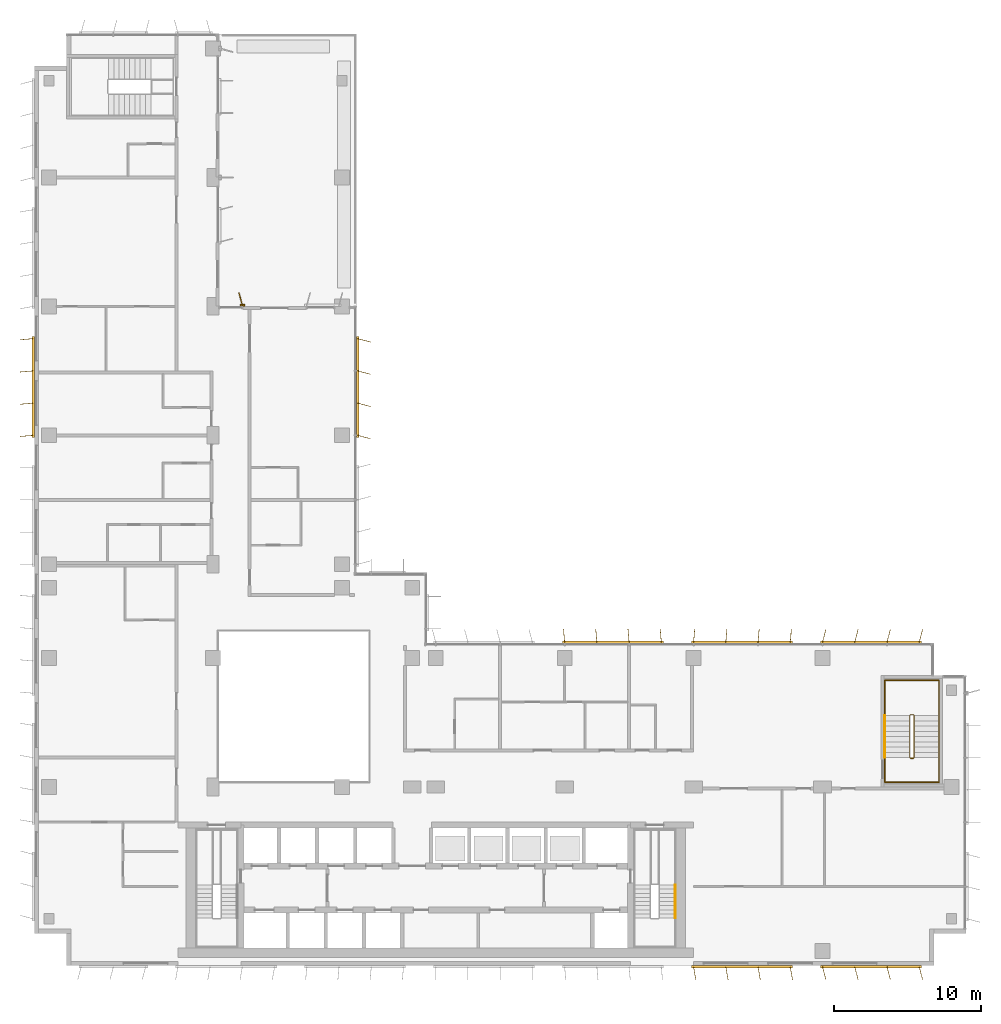
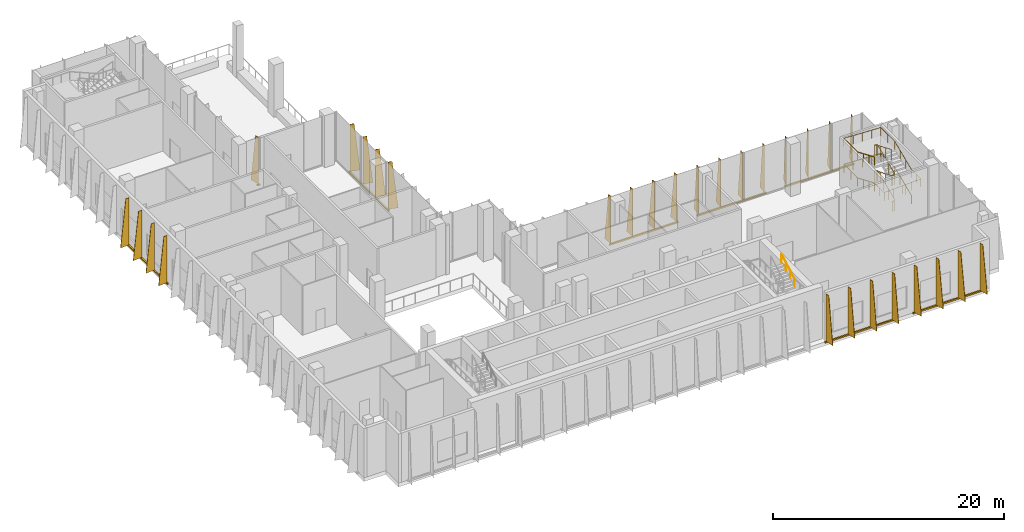
# One storey, part 21 of 24: 8 shading devices, 5 railings.
"""IFC4 building model written with IfcOpenShell, lengths in metres."""

from ifc_helpers import new_model, si_unit, direction, frame, origin, origin_2d, place, context, subcontext, project, spatial, polyline, rectangle, circle, outline, extrude, source, transform, mapped, material, layer, layer_set, type_object, element, save


model = new_model("IFC4")

# Units and contexts
model_context = context("Model", 3, precision=1e-05, world=origin(), true_north=direction((0.0, 1.0)))
body_context = subcontext(model_context, "Body", "Model", "MODEL_VIEW")
ifc_project = project(units=[si_unit("LENGTHUNIT", "METRE"), si_unit("AREAUNIT", "SQUARE_METRE"), si_unit("VOLUMEUNIT", "CUBIC_METRE"), si_unit("PLANEANGLEUNIT", "RADIAN"), si_unit("MASSUNIT", "GRAM", prefix="KILO")], contexts=[model_context])

# Site, building, storey
site_placement = place(None, origin())
site = spatial("IfcSite", under=ifc_project, at=site_placement, CompositionType="ELEMENT")
building_placement = place(site_placement, origin())
building = spatial("IfcBuilding", under=site, at=building_placement, Name="Kemantara Hotel Tower", CompositionType="ELEMENT")
storey_placement = place(building_placement, frame((0.0, 0.0, 202.5)))
storey = spatial("IfcBuildingStorey", under=building, at=storey_placement, Name="L50", CompositionType="ELEMENT", Elevation=202.5)

# Railings
ifc_material_1 = material(Name="Stainless steel balustrade", Category="steel")
railing_type_1 = type_object("IfcRailingType", Name="Stair guard 1100 mm", PredefinedType="GUARDRAIL", material=ifc_material_1)
railing_1_placement = place(storey_placement, frame((59.75, 14.199951171875, 5.5)))
element("IfcRailing", 1, at=railing_1_placement, inside=storey, type_object=railing_type_1, Name="L50 ST3 stair guard 1", PredefinedType="GUARDRAIL", context=body_context, shape_type="SweptSolid", body=[
    extrude(circle(Radius=0.02392578125, at=origin_2d()), frame((0.0, 0.0, 1.076171875), z_axis=(0.0, 0.920547772064, -0.390630003133), x_axis=(-1.0, 0.0, 0.0)), (0.0, 0.0, 1.0), 3.128662109375),
    extrude(circle(Radius=0.02392578125, at=origin_2d()), frame((0.0, 2.880126953125, -0.14599609375), z_axis=(0.297283521722, 0.295833358201, -0.907802363892), x_axis=(-0.705375805398, 0.708833529934, 0.0)), (0.0, 0.0, 1.0), 0.16845703125),
    extrude(circle(Radius=0.02392578125, at=origin_2d()), frame((0.050048828125, 2.929931640625, -0.298828125), z_axis=(1.0, 0.0, 0.0), x_axis=(0.0, 1.0, 0.0)), (0.0, 0.0, 1.0), 0.199951171875),
    extrude(circle(Radius=0.02392578125, at=origin_2d()), frame((0.25, 2.929931640625, -0.298828125), z_axis=(0.708833529934, -0.705375805398, 0.0), x_axis=(0.705375805398, 0.708833529934, 0.0)), (0.0, 0.0, 1.0), 0.070556640625),
    extrude(circle(Radius=0.02392578125, at=origin_2d()), frame((0.300048828125, 2.880126953125, -0.298828125), z_axis=(0.0, -0.920547772064, -0.390630003133), x_axis=(1.0, 0.0, 0.0)), (0.0, 0.0, 1.0), 3.128662109375),
    extrude(circle(Radius=0.02392578125, at=origin_2d()), frame((0.300048828125, 0.0, -1.52099609375), z_axis=(-0.841019323802, -0.168368126347, -0.514138766309), x_axis=(0.196300278283, -0.98054382908, 0.0)), (0.0, 0.0, 1.0), 0.29736328125),
    extrude(circle(Radius=0.02392578125, at=origin_2d()), frame((0.050048828125, -0.050048828125, -1.673828125), z_axis=(1.0, 0.0, 0.0), x_axis=(0.0, 1.0, 0.0)), (0.0, 0.0, 1.0), 0.199951171875),
    extrude(circle(Radius=0.02392578125, at=origin_2d()), frame((0.25, -0.050048828125, -1.673828125), z_axis=(-0.98054382908, 0.196300278283, 0.0), x_axis=(-0.196300278283, -0.98054382908, 0.0)), (0.0, 0.0, 1.0), 0.2548828125),
    extrude(circle(Radius=0.02392578125, at=origin_2d()), frame((0.0, 0.0, -1.673828125), z_axis=(0.0, 0.920547772064, -0.390630003133), x_axis=(-1.0, 0.0, 0.0)), (0.0, 0.0, 1.0), 3.128662109375),
    extrude(circle(Radius=0.02392578125, at=origin_2d()), frame((0.0, 2.880126953125, -2.89599609375), z_axis=(0.297283521722, 0.295833358201, -0.907802363892), x_axis=(-0.705375805398, 0.708833529934, 0.0)), (0.0, 0.0, 1.0), 0.16845703125),
    extrude(circle(Radius=0.02392578125, at=origin_2d()), frame((0.050048828125, 2.929931640625, -3.048828125), z_axis=(1.0, 0.0, 0.0), x_axis=(0.0, 1.0, 0.0)), (0.0, 0.0, 1.0), 0.199951171875),
    extrude(circle(Radius=0.02392578125, at=origin_2d()), frame((0.25, 2.929931640625, -3.048828125), z_axis=(0.708833529934, -0.705375805398, 0.0), x_axis=(0.705375805398, 0.708833529934, 0.0)), (0.0, 0.0, 1.0), 0.070556640625),
    extrude(circle(Radius=0.02392578125, at=origin_2d()), frame((0.300048828125, 2.880126953125, -3.048828125), z_axis=(0.0, -0.920547772064, -0.390630003133), x_axis=(1.0, 0.0, 0.0)), (0.0, 0.0, 1.0), 3.128662109375),
    extrude(circle(Radius=0.02392578125, at=origin_2d()), frame((0.300048828125, 0.0, -4.27099609375), z_axis=(-0.297155754911, -0.297155754911, -0.90741220768), x_axis=(0.707106781187, -0.707106781187, 0.0)), (0.0, 0.0, 1.0), 0.16845703125),
    extrude(circle(Radius=0.02392578125, at=origin_2d()), frame((0.25, -0.050048828125, -4.423828125), z_axis=(-1.0, 0.0, 0.0), x_axis=(0.0, -1.0, 0.0)), (0.0, 0.0, 1.0), 0.199951171875),
    extrude(circle(Radius=0.02099609375, at=origin_2d()), origin(), (0.0, 0.0, 1.0), 1.052001953125),
    extrude(circle(Radius=0.02099609375, at=origin_2d()), frame((0.0, 0.9599609375, -0.407470703125)), (0.0, 0.0, 1.0), 1.052001953125),
    extrude(circle(Radius=0.02099609375, at=origin_2d()), frame((0.0, 1.920166015625, -0.814697265625)), (0.0, 0.0, 1.0), 1.052001953125),
    extrude(circle(Radius=0.02099609375, at=origin_2d()), frame((0.0, 2.880126953125, -1.22216796875)), (0.0, 0.0, 1.0), 1.052001953125),
    extrude(circle(Radius=0.02099609375, at=origin_2d()), frame((0.050048828125, 2.929931640625, -1.375)), (0.0, 0.0, 1.0), 1.052001953125),
    extrude(circle(Radius=0.02099609375, at=origin_2d()), frame((0.25, 2.929931640625, -1.375)), (0.0, 0.0, 1.0), 1.052001953125),
    extrude(circle(Radius=0.02099609375, at=origin_2d()), frame((0.300048828125, 2.880126953125, -1.375)), (0.0, 0.0, 1.0), 1.052001953125),
    extrude(circle(Radius=0.02099609375, at=origin_2d()), frame((0.300048828125, 1.920166015625, -1.782470703125)), (0.0, 0.0, 1.0), 1.052001953125),
    extrude(circle(Radius=0.02099609375, at=origin_2d()), frame((0.300048828125, 0.9599609375, -2.189697265625)), (0.0, 0.0, 1.0), 1.052001953125),
    extrude(circle(Radius=0.02099609375, at=origin_2d()), frame((0.300048828125, 0.0, -2.59716796875)), (0.0, 0.0, 1.0), 1.052001953125),
    extrude(circle(Radius=0.02099609375, at=origin_2d()), frame((0.050048828125, -0.050048828125, -2.75)), (0.0, 0.0, 1.0), 1.052001953125),
    extrude(circle(Radius=0.02099609375, at=origin_2d()), frame((0.25, -0.050048828125, -2.75)), (0.0, 0.0, 1.0), 1.052001953125),
    extrude(circle(Radius=0.02099609375, at=origin_2d()), frame((0.0, 0.0, -2.75)), (0.0, 0.0, 1.0), 1.052001953125),
    extrude(circle(Radius=0.02099609375, at=origin_2d()), frame((0.0, 0.9599609375, -3.157470703125)), (0.0, 0.0, 1.0), 1.052001953125),
    extrude(circle(Radius=0.02099609375, at=origin_2d()), frame((0.0, 1.920166015625, -3.564697265625)), (0.0, 0.0, 1.0), 1.052001953125),
    extrude(circle(Radius=0.02099609375, at=origin_2d()), frame((0.0, 2.880126953125, -3.97216796875)), (0.0, 0.0, 1.0), 1.052001953125),
    extrude(circle(Radius=0.02099609375, at=origin_2d()), frame((0.050048828125, 2.929931640625, -4.125)), (0.0, 0.0, 1.0), 1.052001953125),
    extrude(circle(Radius=0.02099609375, at=origin_2d()), frame((0.25, 2.929931640625, -4.125)), (0.0, 0.0, 1.0), 1.052001953125),
    extrude(circle(Radius=0.02099609375, at=origin_2d()), frame((0.300048828125, 2.880126953125, -4.125)), (0.0, 0.0, 1.0), 1.052001953125),
    extrude(circle(Radius=0.02099609375, at=origin_2d()), frame((0.300048828125, 1.920166015625, -4.532470703125)), (0.0, 0.0, 1.0), 1.052001953125),
    extrude(circle(Radius=0.02099609375, at=origin_2d()), frame((0.300048828125, 0.9599609375, -4.939697265625)), (0.0, 0.0, 1.0), 1.052001953125),
    extrude(circle(Radius=0.02099609375, at=origin_2d()), frame((0.300048828125, 0.0, -5.34716796875)), (0.0, 0.0, 1.0), 1.052001953125),
    extrude(circle(Radius=0.02099609375, at=origin_2d()), frame((0.25, -0.050048828125, -5.5)), (0.0, 0.0, 1.0), 1.052001953125),
    extrude(circle(Radius=0.02099609375, at=origin_2d()), frame((0.050048828125, -0.050048828125, -5.5)), (0.0, 0.0, 1.0), 1.052001953125),
])
railing_type_2 = type_object("IfcRailingType", Name="Stair handrail 900 mm", PredefinedType="HANDRAIL", material=ifc_material_1)
railing_2_placement = place(storey_placement, frame((43.75, 3.260009765625, 4.27783203125)))
element("IfcRailing", 2, at=railing_2_placement, inside=storey, type_object=railing_type_2, Name="L50 ST2 stair handrail 3", PredefinedType="HANDRAIL", context=body_context, shape_type="SweptSolid", body=[
    extrude(circle(Radius=0.02392578125, at=origin_2d()), frame((0.0, 0.0, 0.8759765625), z_axis=(0.0, 0.87783706319, 0.478959382924), x_axis=(-1.0, 0.0, 0.0)), (0.0, 0.0, 1.0), 2.5517578125),
    extrude(circle(Radius=0.02099609375, at=origin_2d()), origin(), (0.0, 0.0, 1.0), 0.851806640625),
    extrude(circle(Radius=0.02099609375, at=origin_2d()), frame((0.0, 0.74658203125, 0.407470703125)), (0.0, 0.0, 1.0), 0.851806640625),
    extrude(circle(Radius=0.02099609375, at=origin_2d()), frame((0.0, 1.493408203125, 0.814697265625)), (0.0, 0.0, 1.0), 0.851806640625),
    extrude(circle(Radius=0.02099609375, at=origin_2d()), frame((0.0, 2.239990234375, 1.22216796875)), (0.0, 0.0, 1.0), 0.851806640625),
])
railing_3_placement = place(storey_placement, frame((61.75, 14.199951171875, 0.15283203125)))
element("IfcRailing", 3, at=railing_3_placement, inside=storey, type_object=railing_type_2, Name="L50 ST3 stair handrail 1", PredefinedType="HANDRAIL", context=body_context, shape_type="SweptSolid", body=[
    extrude(circle(Radius=0.02392578125, at=origin_2d()), frame((0.0, 0.0, 0.8759765625), z_axis=(0.0, 0.920547772064, 0.390630003133), x_axis=(-1.0, 0.0, 0.0)), (0.0, 0.0, 1.0), 3.128662109375),
    extrude(circle(Radius=0.02392578125, at=origin_2d()), frame((0.0, 2.880126953125, 2.09814453125), z_axis=(0.0, 1.0, 0.0), x_axis=(-1.0, 0.0, 0.0)), (0.0, 0.0, 1.0), 2.39990234375),
    extrude(circle(Radius=0.02392578125, at=origin_2d()), frame((0.0, 5.280029296875, 2.09814453125), z_axis=(-0.999147976703, 0.0, 0.041271305405), x_axis=(0.0, -1.0, 0.0)), (0.0, 0.0, 1.0), 3.703125),
    extrude(circle(Radius=0.02392578125, at=origin_2d()), frame((-3.699951171875, 5.280029296875, 2.2509765625), z_axis=(0.0, -1.0, 0.0), x_axis=(1.0, 0.0, 0.0)), (0.0, 0.0, 1.0), 2.39990234375),
    extrude(circle(Radius=0.02392578125, at=origin_2d()), frame((-3.699951171875, 2.880126953125, 2.2509765625), z_axis=(0.0, -0.920547772064, 0.390630003133), x_axis=(1.0, 0.0, 0.0)), (0.0, 0.0, 1.0), 3.128662109375),
    extrude(circle(Radius=0.02099609375, at=origin_2d()), origin(), (0.0, 0.0, 1.0), 0.851806640625),
    extrude(circle(Radius=0.02099609375, at=origin_2d()), frame((0.0, 0.9599609375, 0.407470703125)), (0.0, 0.0, 1.0), 0.851806640625),
    extrude(circle(Radius=0.02099609375, at=origin_2d()), frame((0.0, 1.920166015625, 0.814697265625)), (0.0, 0.0, 1.0), 0.851806640625),
    extrude(circle(Radius=0.02099609375, at=origin_2d()), frame((0.0, 2.880126953125, 1.22216796875)), (0.0, 0.0, 1.0), 0.851806640625),
    extrude(circle(Radius=0.02099609375, at=origin_2d()), frame((0.0, 4.080078125, 1.22216796875)), (0.0, 0.0, 1.0), 0.851806640625),
    extrude(circle(Radius=0.02099609375, at=origin_2d()), frame((0.0, 5.280029296875, 1.22216796875)), (0.0, 0.0, 1.0), 0.851806640625),
    extrude(circle(Radius=0.02099609375, at=origin_2d()), frame((-0.925048828125, 5.280029296875, 1.26025390625)), (0.0, 0.0, 1.0), 0.851806640625),
    extrude(circle(Radius=0.02099609375, at=origin_2d()), frame((-1.85009765625, 5.280029296875, 1.298583984375)), (0.0, 0.0, 1.0), 0.851806640625),
    extrude(circle(Radius=0.02099609375, at=origin_2d()), frame((-2.77490234375, 5.280029296875, 1.3369140625)), (0.0, 0.0, 1.0), 0.851806640625),
    extrude(circle(Radius=0.02099609375, at=origin_2d()), frame((-3.699951171875, 5.280029296875, 1.375)), (0.0, 0.0, 1.0), 0.851806640625),
    extrude(circle(Radius=0.02099609375, at=origin_2d()), frame((-3.699951171875, 4.080078125, 1.375)), (0.0, 0.0, 1.0), 0.851806640625),
    extrude(circle(Radius=0.02099609375, at=origin_2d()), frame((-3.699951171875, 2.880126953125, 1.375)), (0.0, 0.0, 1.0), 0.851806640625),
    extrude(circle(Radius=0.02099609375, at=origin_2d()), frame((-3.699951171875, 1.920166015625, 1.782470703125)), (0.0, 0.0, 1.0), 0.851806640625),
    extrude(circle(Radius=0.02099609375, at=origin_2d()), frame((-3.699951171875, 0.9599609375, 2.189697265625)), (0.0, 0.0, 1.0), 0.851806640625),
    extrude(circle(Radius=0.02099609375, at=origin_2d()), frame((-3.699951171875, 0.0, 2.59716796875)), (0.0, 0.0, 1.0), 0.851806640625),
])
railing_4_placement = place(storey_placement, frame((58.050048828125, 14.199951171875, 2.75)))
element("IfcRailing", 4, at=railing_4_placement, inside=storey, type_object=railing_type_2, Name="L50 ST3 stair handrail 2", PredefinedType="HANDRAIL", context=body_context, shape_type="SweptSolid", body=[
    extrude(circle(Radius=0.02392578125, at=origin_2d()), frame((0.0, 0.0, 0.8759765625), z_axis=(0.0, -1.0, 0.0), x_axis=(1.0, 0.0, 0.0)), (0.0, 0.0, 1.0), 1.679931640625),
    extrude(circle(Radius=0.02392578125, at=origin_2d()), frame((0.0, -1.679931640625, 0.8759765625), z_axis=(0.999147976703, 0.0, 0.041271305405), x_axis=(0.0, 1.0, 0.0)), (0.0, 0.0, 1.0), 3.703125),
    extrude(circle(Radius=0.02392578125, at=origin_2d()), frame((3.699951171875, -1.679931640625, 1.02880859375), z_axis=(0.0, 1.0, 0.0), x_axis=(-1.0, 0.0, 0.0)), (0.0, 0.0, 1.0), 1.679931640625),
    extrude(circle(Radius=0.02392578125, at=origin_2d()), frame((3.699951171875, 0.0, 1.02880859375), z_axis=(0.0, 0.920547772064, 0.390630003133), x_axis=(-1.0, 0.0, 0.0)), (0.0, 0.0, 1.0), 3.128662109375),
    extrude(circle(Radius=0.02392578125, at=origin_2d()), frame((3.699951171875, 2.880126953125, 2.2509765625), z_axis=(0.0, 1.0, 0.0), x_axis=(-1.0, 0.0, 0.0)), (0.0, 0.0, 1.0), 2.39990234375),
    extrude(circle(Radius=0.02392578125, at=origin_2d()), frame((3.699951171875, 5.280029296875, 2.2509765625), z_axis=(-0.999147976703, 0.0, 0.041271305405), x_axis=(0.0, -1.0, 0.0)), (0.0, 0.0, 1.0), 3.703125),
    extrude(circle(Radius=0.02392578125, at=origin_2d()), frame((0.0, 5.280029296875, 2.40380859375), z_axis=(0.0, -1.0, 0.0), x_axis=(1.0, 0.0, 0.0)), (0.0, 0.0, 1.0), 2.39990234375),
    extrude(circle(Radius=0.02099609375, at=origin_2d()), origin(), (0.0, 0.0, 1.0), 0.851806640625),
    extrude(circle(Radius=0.02099609375, at=origin_2d()), frame((0.0, -0.83984375, 0.0)), (0.0, 0.0, 1.0), 0.851806640625),
    extrude(circle(Radius=0.02099609375, at=origin_2d()), frame((0.0, -1.679931640625, 0.0)), (0.0, 0.0, 1.0), 0.851806640625),
    extrude(circle(Radius=0.02099609375, at=origin_2d()), frame((0.925048828125, -1.679931640625, 0.0380859375)), (0.0, 0.0, 1.0), 0.851806640625),
    extrude(circle(Radius=0.02099609375, at=origin_2d()), frame((1.85009765625, -1.679931640625, 0.076416015625)), (0.0, 0.0, 1.0), 0.851806640625),
    extrude(circle(Radius=0.02099609375, at=origin_2d()), frame((2.77490234375, -1.679931640625, 0.11474609375)), (0.0, 0.0, 1.0), 0.851806640625),
    extrude(circle(Radius=0.02099609375, at=origin_2d()), frame((3.699951171875, -1.679931640625, 0.15283203125)), (0.0, 0.0, 1.0), 0.851806640625),
    extrude(circle(Radius=0.02099609375, at=origin_2d()), frame((3.699951171875, -0.83984375, 0.15283203125)), (0.0, 0.0, 1.0), 0.851806640625),
    extrude(circle(Radius=0.02099609375, at=origin_2d()), frame((3.699951171875, 0.0, 0.15283203125)), (0.0, 0.0, 1.0), 0.851806640625),
    extrude(circle(Radius=0.02099609375, at=origin_2d()), frame((3.699951171875, 0.9599609375, 0.560302734375)), (0.0, 0.0, 1.0), 0.851806640625),
    extrude(circle(Radius=0.02099609375, at=origin_2d()), frame((3.699951171875, 1.920166015625, 0.967529296875)), (0.0, 0.0, 1.0), 0.851806640625),
    extrude(circle(Radius=0.02099609375, at=origin_2d()), frame((3.699951171875, 2.880126953125, 1.375)), (0.0, 0.0, 1.0), 0.851806640625),
    extrude(circle(Radius=0.02099609375, at=origin_2d()), frame((3.699951171875, 4.080078125, 1.375)), (0.0, 0.0, 1.0), 0.851806640625),
    extrude(circle(Radius=0.02099609375, at=origin_2d()), frame((3.699951171875, 5.280029296875, 1.375)), (0.0, 0.0, 1.0), 0.851806640625),
    extrude(circle(Radius=0.02099609375, at=origin_2d()), frame((2.77490234375, 5.280029296875, 1.4130859375)), (0.0, 0.0, 1.0), 0.851806640625),
    extrude(circle(Radius=0.02099609375, at=origin_2d()), frame((1.85009765625, 5.280029296875, 1.451416015625)), (0.0, 0.0, 1.0), 0.851806640625),
    extrude(circle(Radius=0.02099609375, at=origin_2d()), frame((0.925048828125, 5.280029296875, 1.48974609375)), (0.0, 0.0, 1.0), 0.851806640625),
    extrude(circle(Radius=0.02099609375, at=origin_2d()), frame((0.0, 5.280029296875, 1.52783203125)), (0.0, 0.0, 1.0), 0.851806640625),
    extrude(circle(Radius=0.02099609375, at=origin_2d()), frame((0.0, 4.080078125, 1.52783203125)), (0.0, 0.0, 1.0), 0.851806640625),
    extrude(circle(Radius=0.02099609375, at=origin_2d()), frame((0.0, 2.880126953125, 1.52783203125)), (0.0, 0.0, 1.0), 0.851806640625),
])
railing_5_placement = place(storey_placement, frame((58.050048828125, 17.080078125, 4.27783203125)))
element("IfcRailing", 5, at=railing_5_placement, inside=storey, type_object=railing_type_2, Name="L50 ST3 stair handrail 3", PredefinedType="HANDRAIL", context=body_context, shape_type="SweptSolid", body=[
    extrude(circle(Radius=0.02392578125, at=origin_2d()), frame((0.0, 0.0, 0.8759765625), z_axis=(0.0, -0.920547772064, 0.390630003133), x_axis=(1.0, 0.0, 0.0)), (0.0, 0.0, 1.0), 3.128662109375),
    extrude(circle(Radius=0.02099609375, at=origin_2d()), origin(), (0.0, 0.0, 1.0), 0.851806640625),
    extrude(circle(Radius=0.02099609375, at=origin_2d()), frame((0.0, -0.9599609375, 0.407470703125)), (0.0, 0.0, 1.0), 0.851806640625),
    extrude(circle(Radius=0.02099609375, at=origin_2d()), frame((0.0, -1.920166015625, 0.814697265625)), (0.0, 0.0, 1.0), 0.851806640625),
    extrude(circle(Radius=0.02099609375, at=origin_2d()), frame((0.0, -2.880126953125, 1.22216796875)), (0.0, 0.0, 1.0), 0.851806640625),
])

# Shading devices
ifc_material_2 = material(Name="Perforated aluminium plate 4 mm bronze anodised", Category="aluminium")
ifc_layer_1 = layer(ifc_material_2, 0.0400390625)
ifc_layer_set_1 = layer_set([ifc_layer_1], Name="Perforated aluminium plate 4 mm bronze anodised")
shading_device_type_1 = type_object("IfcShadingDeviceType", Name="SCREEN FIN CASSETTE, 4 BLADES AT +15.0 DEG, 5000 HIGH", PredefinedType="USERDEFINED", material=ifc_layer_set_1)
shared_shape_1 = source(origin(), body_context, "Body", "SweptSolid", [
    extrude(rectangle(XDim=6.89990234375, YDim=0.14990234375, at=origin_2d()), frame((3.300048828125, -0.074951171875, -0.14990234375), z_axis=(0.0, 0.0, 1.0), x_axis=(1.0, 0.0, 0.0)), (0.0, 0.0, 1.0), 0.14990234375),
    extrude(outline(polyline([(0.0, 0.0), (0.89990234375, 0.0), (0.35009765625, 5.0), (0.0, 5.0), (0.0, 0.0)])), frame((0.019287109375, -0.06982421875, 0.0), z_axis=(-0.966437683387, -0.256901156343, 0.0), x_axis=(0.256901156343, -0.966437683387, 0.0)), (0.0, 0.0, 1.0), 0.039794921875),
    extrude(outline(polyline([(0.0, 0.0), (0.89990234375, 0.0), (0.35009765625, 5.0), (0.0, 5.0), (0.0, 0.0)])), frame((2.21923828125, -0.06982421875, 0.0), z_axis=(-0.966437683387, -0.256901156343, 0.0), x_axis=(0.256901156343, -0.966437683387, 0.0)), (0.0, 0.0, 1.0), 0.039794921875),
    extrude(outline(polyline([(0.0, 0.0), (0.89990234375, 0.0), (0.35009765625, 5.0), (0.0, 5.0), (0.0, 0.0)])), frame((4.41943359375, -0.06982421875, 0.0), z_axis=(-0.966837822169, -0.255391122837, 0.0), x_axis=(0.255391122837, -0.966837822169, 0.0)), (0.0, 0.0, 1.0), 0.0400390625),
    extrude(outline(polyline([(0.0, 0.0), (0.89990234375, 0.0), (0.35009765625, 5.0), (0.0, 5.0), (0.0, 0.0)])), frame((6.619384765625, -0.06982421875, 0.0), z_axis=(-0.966837822169, -0.255391122837, 0.0), x_axis=(0.255391122837, -0.966837822169, 0.0)), (0.0, 0.0, 1.0), 0.0400390625),
])
shading_device_1_placement = place(storey_placement, frame((53.800048828125, 0.0, 0.10009765625), z_axis=(0.0, 0.0, 1.0), x_axis=(1.0, 0.0, 0.0)))
element("IfcShadingDevice", 6, at=shading_device_1_placement, inside=storey, type_object=shading_device_type_1, Name="SCREEN FIN CASSETTE L50 T3S-R09-7", ObjectType="SCREEN FIN", PredefinedType="USERDEFINED", context=body_context, shape_type="MappedRepresentation", body=[
    mapped(shared_shape_1, transform((0.0, 0.0, 0.0))),
])
ifc_layer_2 = layer(ifc_material_2, 0.0400390625)
ifc_layer_set_2 = layer_set([ifc_layer_2], Name="Perforated aluminium plate 4 mm bronze anodised")
shading_device_type_2 = type_object("IfcShadingDeviceType", Name="SCREEN FIN CASSETTE, 4 BLADES AT +10.0 DEG, 5000 HIGH", PredefinedType="USERDEFINED", material=ifc_layer_set_2)
shared_shape_2 = source(origin(), body_context, "Body", "SweptSolid", [
    extrude(rectangle(XDim=6.89990234375, YDim=0.14990234375, at=origin_2d()), frame((3.300048828125, -0.074951171875, -0.14990234375), z_axis=(0.0, 0.0, 1.0), x_axis=(1.0, 0.0, 0.0)), (0.0, 0.0, 1.0), 0.14990234375),
    extrude(outline(polyline([(0.0, 0.0), (0.89990234375, 0.0), (0.35009765625, 5.0), (0.0, 5.0), (0.0, 0.0)])), frame((0.019775390625, -0.071533203125, 0.0), z_axis=(-0.985389793052, -0.170314285219, 0.0), x_axis=(0.170314285219, -0.985389793052, 0.0)), (0.0, 0.0, 1.0), 0.0400390625),
    extrude(outline(polyline([(0.0, 0.0), (0.89990234375, 0.0), (0.35009765625, 5.0), (0.0, 5.0), (0.0, 0.0)])), frame((2.2197265625, -0.071533203125, 0.0), z_axis=(-0.98521175482, -0.171341174751, 0.0), x_axis=(0.171341174751, -0.98521175482, 0.0)), (0.0, 0.0, 1.0), 0.039794921875),
    extrude(outline(polyline([(0.0, 0.0), (0.89990234375, 0.0), (0.35009765625, 5.0), (0.0, 5.0), (0.0, 0.0)])), frame((4.419677734375, -0.071533203125, 0.0), z_axis=(-0.98521175482, -0.171341174751, 0.0), x_axis=(0.171341174751, -0.98521175482, 0.0)), (0.0, 0.0, 1.0), 0.039794921875),
    extrude(outline(polyline([(0.0, 0.0), (0.89990234375, 0.0), (0.35009765625, 5.0), (0.0, 5.0), (0.0, 0.0)])), frame((6.61962890625, -0.071533203125, 0.0), z_axis=(-0.98521175482, -0.171341174751, 0.0), x_axis=(0.171341174751, -0.98521175482, 0.0)), (0.0, 0.0, 1.0), 0.039794921875),
])
shading_device_2_placement = place(storey_placement, frame((45.0, 0.0, 0.10009765625), z_axis=(0.0, 0.0, 1.0), x_axis=(1.0, 0.0, 0.0)))
element("IfcShadingDevice", 7, at=shading_device_2_placement, inside=storey, type_object=shading_device_type_2, Name="SCREEN FIN CASSETTE L50 T3S-R09-6", ObjectType="SCREEN FIN", PredefinedType="USERDEFINED", context=body_context, shape_type="MappedRepresentation", body=[
    mapped(shared_shape_2, transform((0.0, 0.0, 0.0))),
])
ifc_layer_3 = layer(ifc_material_2, 0.0400390625)
ifc_layer_set_3 = layer_set([ifc_layer_3], Name="Perforated aluminium plate 4 mm bronze anodised")
shading_device_type_3 = type_object("IfcShadingDeviceType", Name="SCREEN FIN CASSETTE, 4 BLADES AT +5.0 DEG, 5000 HIGH", PredefinedType="USERDEFINED", material=ifc_layer_set_3)
shared_shape_3 = source(origin(), body_context, "Body", "SweptSolid", [
    extrude(rectangle(XDim=6.89990234375, YDim=0.14990234375, at=origin_2d()), frame((3.300048828125, -0.074951171875, -0.14990234375), z_axis=(0.0, 0.0, 1.0), x_axis=(1.0, 0.0, 0.0)), (0.0, 0.0, 1.0), 0.14990234375),
    extrude(outline(polyline([(0.0, 0.0), (0.89990234375, 0.0), (0.35009765625, 5.0), (0.0, 5.0), (0.0, 0.0)])), frame((0.02001953125, -0.0732421875, 0.0), z_axis=(-0.996376129781, -0.085056498884, 0.0), x_axis=(0.085056498884, -0.996376129781, 0.0)), (0.0, 0.0, 1.0), 0.040283203125),
    extrude(outline(polyline([(0.0, 0.0), (0.89990234375, 0.0), (0.35009765625, 5.0), (0.0, 5.0), (0.0, 0.0)])), frame((2.219970703125, -0.0732421875, 0.0), z_axis=(-0.996331773833, -0.085574508182, 0.0), x_axis=(0.085574508182, -0.996331773833, 0.0)), (0.0, 0.0, 1.0), 0.0400390625),
    extrude(outline(polyline([(0.0, 0.0), (0.89990234375, 0.0), (0.35009765625, 5.0), (0.0, 5.0), (0.0, 0.0)])), frame((4.419921875, -0.0732421875, 0.0), z_axis=(-0.996331773833, -0.085574508182, 0.0), x_axis=(0.085574508182, -0.996331773833, 0.0)), (0.0, 0.0, 1.0), 0.0400390625),
    extrude(outline(polyline([(0.0, 0.0), (0.89990234375, 0.0), (0.35009765625, 5.0), (0.0, 5.0), (0.0, 0.0)])), frame((6.619873046875, -0.0732421875, 0.0), z_axis=(-0.996331773833, -0.085574508182, 0.0), x_axis=(0.085574508182, -0.996331773833, 0.0)), (0.0, 0.0, 1.0), 0.0400390625),
])
for number, where, z_axis, x_axis, name in (
    (8, (0.0, 42.800048828125, 0.10009765625), (0.0, 0.0, 1.0), (0.0, -1.0, 0.0), "SCREEN FIN CASSETTE L50 T3S-R06-3"),
    (9, (42.800048828125, 22.0, 0.10009765625), (0.0, 0.0, 1.0), (-1.0, 0.0, 0.0), "SCREEN FIN CASSETTE L50 T3S-R15-3"),
):
    element("IfcShadingDevice", number, at=place(storey_placement, frame(where, z_axis=z_axis, x_axis=x_axis)), inside=storey, type_object=shading_device_type_3, Name=name, ObjectType="SCREEN FIN", PredefinedType="USERDEFINED", context=body_context, shape_type="MappedRepresentation", body=[
        mapped(shared_shape_3, transform((0.0, 0.0, 0.0))),
    ])
ifc_layer_4 = layer(ifc_material_2, 0.0400390625)
ifc_layer_set_4 = layer_set([ifc_layer_4], Name="Perforated aluminium plate 4 mm bronze anodised")
shading_device_type_4 = type_object("IfcShadingDeviceType", Name="SCREEN FIN CASSETTE, 4 BLADES AT -5.0 DEG, 5000 HIGH", PredefinedType="USERDEFINED", material=ifc_layer_set_4)
shared_shape_4 = source(origin(), body_context, "Body", "SweptSolid", [
    extrude(rectangle(XDim=6.89990234375, YDim=0.14990234375, at=origin_2d()), frame((3.300048828125, -0.074951171875, -0.14990234375), z_axis=(0.0, 0.0, 1.0), x_axis=(1.0, 0.0, 0.0)), (0.0, 0.0, 1.0), 0.14990234375),
    extrude(outline(polyline([(0.0, 0.0), (0.89990234375, 0.0), (0.35009765625, 5.0), (0.0, 5.0), (0.0, 0.0)])), frame((0.02001953125, -0.07666015625, 0.0), z_axis=(-0.996376129781, 0.085056498884, 0.0), x_axis=(-0.085056498884, -0.996376129781, 0.0)), (0.0, 0.0, 1.0), 0.040283203125),
    extrude(outline(polyline([(0.0, 0.0), (0.89990234375, 0.0), (0.35009765625, 5.0), (0.0, 5.0), (0.0, 0.0)])), frame((2.219970703125, -0.07666015625, 0.0), z_axis=(-0.996331773833, 0.085574508182, 0.0), x_axis=(-0.085574508182, -0.996331773833, 0.0)), (0.0, 0.0, 1.0), 0.0400390625),
    extrude(outline(polyline([(0.0, 0.0), (0.89990234375, 0.0), (0.35009765625, 5.0), (0.0, 5.0), (0.0, 0.0)])), frame((4.419921875, -0.07666015625, 0.0), z_axis=(-0.996331773833, 0.085574508182, 0.0), x_axis=(-0.085574508182, -0.996331773833, 0.0)), (0.0, 0.0, 1.0), 0.0400390625),
    extrude(outline(polyline([(0.0, 0.0), (0.89990234375, 0.0), (0.35009765625, 5.0), (0.0, 5.0), (0.0, 0.0)])), frame((6.619873046875, -0.07666015625, 0.0), z_axis=(-0.996331773833, 0.085574508182, 0.0), x_axis=(-0.085574508182, -0.996331773833, 0.0)), (0.0, 0.0, 1.0), 0.0400390625),
])
shading_device_3_placement = place(storey_placement, frame((51.60009765625, 22.0, 0.10009765625), z_axis=(0.0, 0.0, 1.0), x_axis=(-1.0, 0.0, 0.0)))
element("IfcShadingDevice", 10, at=shading_device_3_placement, inside=storey, type_object=shading_device_type_4, Name="SCREEN FIN CASSETTE L50 T3S-R15-2", ObjectType="SCREEN FIN", PredefinedType="USERDEFINED", context=body_context, shape_type="MappedRepresentation", body=[
    mapped(shared_shape_4, transform((0.0, 0.0, 0.0))),
])
ifc_layer_5 = layer(ifc_material_2, 0.0400390625)
ifc_layer_set_5 = layer_set([ifc_layer_5], Name="Perforated aluminium plate 4 mm bronze anodised")
shading_device_type_5 = type_object("IfcShadingDeviceType", Name="SCREEN FIN CASSETTE, 4 BLADES AT -15.0 DEG, 5000 HIGH", PredefinedType="USERDEFINED", material=ifc_layer_set_5)
shared_shape_5 = source(origin(), body_context, "Body", "SweptSolid", [
    extrude(rectangle(XDim=6.89990234375, YDim=0.14990234375, at=origin_2d()), frame((3.300048828125, -0.074951171875, -0.14990234375), z_axis=(0.0, 0.0, 1.0), x_axis=(1.0, 0.0, 0.0)), (0.0, 0.0, 1.0), 0.14990234375),
    extrude(outline(polyline([(0.0, 0.0), (0.89990234375, 0.0), (0.35009765625, 5.0), (0.0, 5.0), (0.0, 0.0)])), frame((0.019287109375, -0.080078125, 0.0), z_axis=(-0.966437683387, 0.256901156343, 0.0), x_axis=(-0.256901156343, -0.966437683387, 0.0)), (0.0, 0.0, 1.0), 0.039794921875),
    extrude(outline(polyline([(0.0, 0.0), (0.89990234375, 0.0), (0.35009765625, 5.0), (0.0, 5.0), (0.0, 0.0)])), frame((2.21923828125, -0.080078125, 0.0), z_axis=(-0.966437683387, 0.256901156343, 0.0), x_axis=(-0.256901156343, -0.966437683387, 0.0)), (0.0, 0.0, 1.0), 0.039794921875),
    extrude(outline(polyline([(0.0, 0.0), (0.89990234375, 0.0), (0.35009765625, 5.0), (0.0, 5.0), (0.0, 0.0)])), frame((4.41943359375, -0.080078125, 0.0), z_axis=(-0.966837822169, 0.255391122837, 0.0), x_axis=(-0.255391122837, -0.966837822169, 0.0)), (0.0, 0.0, 1.0), 0.0400390625),
    extrude(outline(polyline([(0.0, 0.0), (0.89990234375, 0.0), (0.35009765625, 5.0), (0.0, 5.0), (0.0, 0.0)])), frame((6.619384765625, -0.080078125, 0.0), z_axis=(-0.966837822169, 0.255391122837, 0.0), x_axis=(-0.255391122837, -0.966837822169, 0.0)), (0.0, 0.0, 1.0), 0.0400390625),
])
for number, where, z_axis, x_axis, name in (
    (11, (22.0, 36.199951171875, 0.10009765625), (0.0, 0.0, 1.0), (0.0, 1.0, 0.0), "SCREEN FIN CASSETTE L50 T3S-R00-2"),
    (12, (60.39990234375, 22.0, 0.10009765625), (0.0, 0.0, 1.0), (-1.0, 0.0, 0.0), "SCREEN FIN CASSETTE L50 T3S-R15-1"),
):
    element("IfcShadingDevice", number, at=place(storey_placement, frame(where, z_axis=z_axis, x_axis=x_axis)), inside=storey, type_object=shading_device_type_5, Name=name, ObjectType="SCREEN FIN", PredefinedType="USERDEFINED", context=body_context, shape_type="MappedRepresentation", body=[
        mapped(shared_shape_5, transform((0.0, 0.0, 0.0))),
    ])
ifc_layer_6 = layer(ifc_material_2, 0.0400390625)
ifc_layer_set_6 = layer_set([ifc_layer_6], Name="Perforated aluminium plate 4 mm bronze anodised")
shading_device_type_6 = type_object("IfcShadingDeviceType", Name="SCREEN FIN CASSETTE, 1 BLADE AT +15.0 DEG, 4950 HIGH", PredefinedType="USERDEFINED", material=ifc_layer_set_6)
shared_shape_6 = source(origin(), body_context, "Body", "SweptSolid", [
    extrude(rectangle(XDim=0.300048828125, YDim=0.14990234375, at=origin_2d()), frame((0.0, -0.074951171875, -0.14990234375), z_axis=(0.0, 0.0, 1.0), x_axis=(1.0, 0.0, 0.0)), (0.0, 0.0, 1.0), 0.14990234375),
    extrude(outline(polyline([(0.0, 0.0), (0.89990234375, 0.0), (0.35009765625, 4.949951171875), (0.0, 4.949951171875), (0.0, 0.0)])), frame((0.019287109375, -0.06982421875, 0.0), z_axis=(-0.966437683387, -0.256901156343, 0.0), x_axis=(0.256901156343, -0.966437683387, 0.0)), (0.0, 0.0, 1.0), 0.039794921875),
])
shading_device_4_placement = place(storey_placement, frame((14.199951171875, 45.0, 0.14990234375), z_axis=(0.0, 0.0, 1.0), x_axis=(-1.0, 0.0, 0.0)))
element("IfcShadingDevice", 13, at=shading_device_4_placement, inside=storey, type_object=shading_device_type_6, Name="SCREEN FIN CASSETTE L50 T3S-R01-2", ObjectType="SCREEN FIN", PredefinedType="USERDEFINED", context=body_context, shape_type="MappedRepresentation", body=[
    mapped(shared_shape_6, transform((0.0, 0.0, 0.0))),
])

save(model, "model.ifc")
